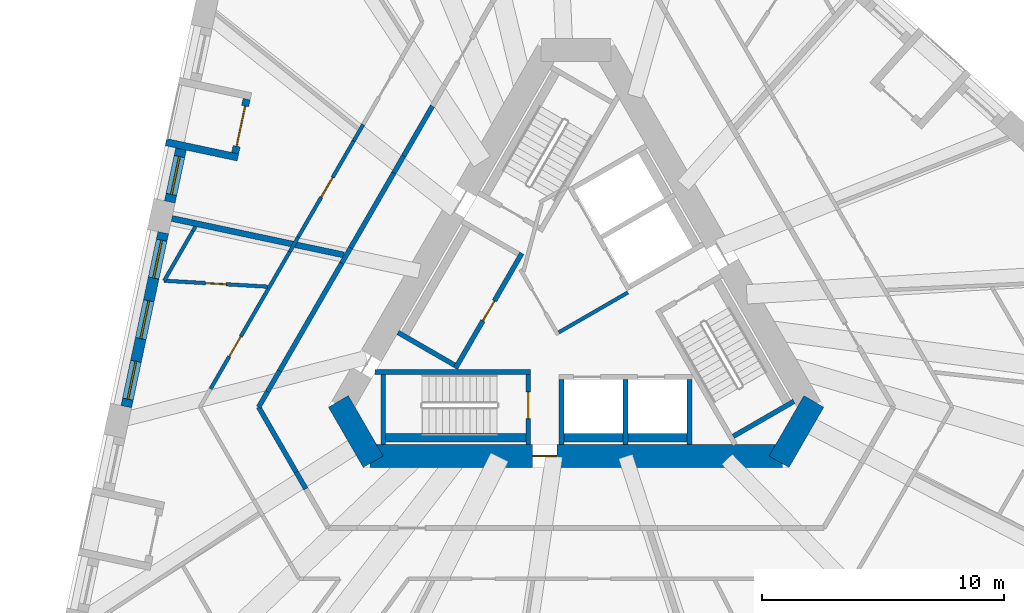
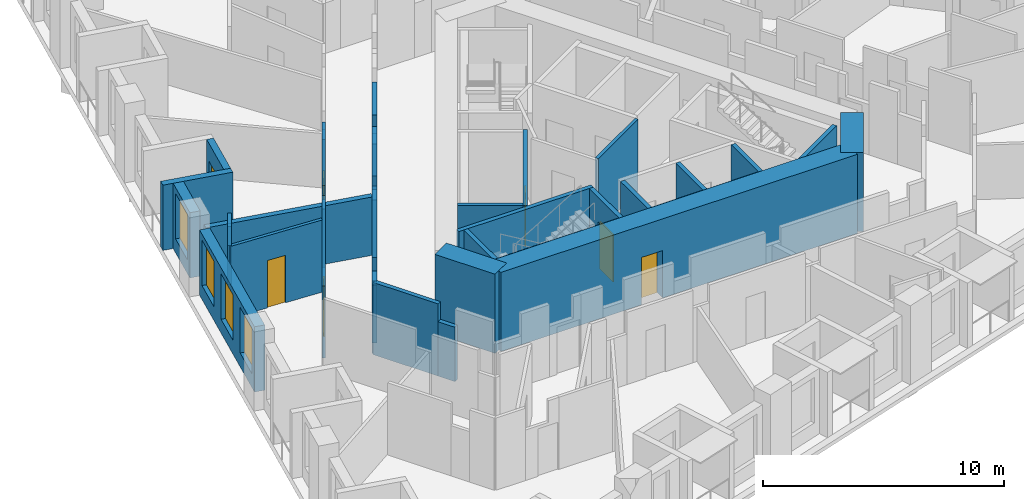
# One storey, part 4 of 12: 36 walls, 7 doors, 4 windows, 11 openings.
"""IFC4 building model written with IfcOpenShell, lengths in metres."""

import ifcopenshell
import ifcopenshell.guid

model = None  # the IFC model being written
_history = None  # IfcOwnerHistory: only IFC2X3 demands one
_inside = {}  # id of a spatial element -> (the spatial element, [elements in it])
_under = {}  # id of a project, library or spatial element -> (it, [spatial elements below it])
_declared = {}  # id of a project -> (the project, [libraries it declares])
_typed = {}  # id of a type object -> (the type object, [elements of that type])
_made_of = {}  # id of a material, layer set ... -> (it, [elements and type objects made of it])


def new_model(schema):
    """Start an empty IFC model of exactly this schema.

    Asked for "IFC4X3", IfcOpenShell would pick the latest addendum, in which some entities
    have other attributes; the version numbers below select the first issue.
    IFC2X3 requires an IfcOwnerHistory on every rooted entity: one is made here for all.
    """
    global model, _history
    if schema == "IFC4X3":
        model = ifcopenshell.file(schema_version=(4, 3, 0, 0))
    else:
        model = ifcopenshell.file(schema=schema)
    _inside.clear()
    _under.clear()
    _declared.clear()
    _typed.clear()
    _made_of.clear()
    _history = None
    if model.schema == "IFC2X3":
        org = make("IfcOrganization", Name="unknown")
        user = make(
            "IfcPersonAndOrganization",
            ThePerson=make("IfcPerson", FamilyName="unknown"),
            TheOrganization=org,
        )
        app = make(
            "IfcApplication",
            ApplicationDeveloper=org,
            Version="unknown",
            ApplicationFullName="unknown",
            ApplicationIdentifier="unknown",
        )
        _history = make(
            "IfcOwnerHistory",
            OwningUser=user,
            OwningApplication=app,
            ChangeAction="ADDED",
            CreationDate=0,
        )
    return model


def make(cls, **values):
    """One entity of the class cls with the attributes given. An attribute that is None is left unset."""
    return model.create_entity(
        cls, **{name: value for name, value in values.items() if value is not None}
    )


def rooted(cls, **values):
    """An entity with a GlobalId (a new one), such as an element, a storey or a relation."""
    return make(cls, GlobalId=ifcopenshell.guid.new(), OwnerHistory=_history, **values)


def si_unit(unit_type, name, prefix=None):
    """IfcSIUnit, for example si_unit("LENGTHUNIT", "METRE", prefix="MILLI")."""
    return make("IfcSIUnit", UnitType=unit_type, Prefix=prefix, Name=name)


def assignment(units):
    """IfcUnitAssignment: the units of a project."""
    return None if units is None else make("IfcUnitAssignment", Units=units)


def point(xyz):
    """IfcCartesianPoint."""
    return None if xyz is None else make("IfcCartesianPoint", Coordinates=xyz)


def direction(xyz):
    """IfcDirection."""
    return None if xyz is None else make("IfcDirection", DirectionRatios=xyz)


def frame(location, z_axis=None, x_axis=None):
    """IfcAxis2Placement3D, a coordinate frame: its origin and axes. An axis left out is left unset."""
    return make(
        "IfcAxis2Placement3D",
        Location=point(location),
        Axis=direction(z_axis),
        RefDirection=direction(x_axis),
    )


def frame_2d(location, x_axis=None):
    """IfcAxis2Placement2D, a coordinate frame in the plane: its origin and x axis."""
    return make(
        "IfcAxis2Placement2D", Location=point(location), RefDirection=direction(x_axis)
    )


def origin():
    """The frame at (0, 0, 0) with its axes left unset."""
    return frame((0.0, 0.0, 0.0))


def place(relative_to, where):
    """IfcLocalPlacement: puts the frame where relative to a parent placement (None: the world)."""
    return make(
        "IfcLocalPlacement", PlacementRelTo=relative_to, RelativePlacement=where
    )


def context(
    kind, dimensions, precision=None, world=None, true_north=None, identifier=None
):
    """IfcGeometricRepresentationContext, for example the 3D "Model" context."""
    return make(
        "IfcGeometricRepresentationContext",
        ContextIdentifier=identifier,
        ContextType=kind,
        CoordinateSpaceDimension=dimensions,
        Precision=precision,
        WorldCoordinateSystem=world,
        TrueNorth=true_north,
    )


def subcontext(parent, identifier, kind, view, scale=None):
    """IfcGeometricRepresentationSubContext, for example "Body" below "Model"."""
    return make(
        "IfcGeometricRepresentationSubContext",
        ContextIdentifier=identifier,
        ContextType=kind,
        ParentContext=parent,
        TargetScale=scale,
        TargetView=view,
    )


def project(units=None, contexts=None):
    """IfcProject with its units and contexts."""
    return rooted(
        "IfcProject",
        Name="project",
        RepresentationContexts=contexts,
        UnitsInContext=assignment(units),
    )


def spatial(cls, under=None, at=None, **own):
    """A site, building, storey or space (cls), placed at a placement, below another one or the project."""
    s = rooted(cls, ObjectPlacement=at, **own)
    if under is not None:
        _under.setdefault(under.id(), (under, []))[1].append(s)
    return s


def profile(cls, at=None, kind="AREA", **sizes):
    """A parametric profile (cls). Its sizes go by their IFC names, for example OverallWidth=200.0."""
    return make(cls, ProfileType=kind, Position=at, **sizes)


def rectangle(**sizes):
    """IfcRectangleProfileDef."""
    return profile("IfcRectangleProfileDef", **sizes)


def extrude(swept, where, along, depth):
    """IfcExtrudedAreaSolid: the profile swept, set in the frame where, extruded along a direction by depth."""
    return make(
        "IfcExtrudedAreaSolid",
        SweptArea=swept,
        Position=where,
        ExtrudedDirection=direction(along),
        Depth=depth,
    )


def shape(context_of_items, identifier, shape_type, items):
    """IfcShapeRepresentation: the items that make up one representation, for example the "Body"."""
    return make(
        "IfcShapeRepresentation",
        ContextOfItems=context_of_items,
        RepresentationIdentifier=identifier,
        RepresentationType=shape_type,
        Items=items,
    )


def material(Name=None, Category=None):
    """IfcMaterial."""
    return make("IfcMaterial", Name=Name, Category=Category)


def layer(
    of_material, thickness, ventilated=None, Name=None, Category=None, Priority=None
):
    """IfcMaterialLayer: one layer of a wall or slab, of a material (None: an air gap)."""
    return make(
        "IfcMaterialLayer",
        Material=of_material,
        LayerThickness=thickness,
        IsVentilated=ventilated,
        Name=Name,
        Category=Category,
        Priority=Priority,
    )


def layer_set(layers, Name=None):
    """IfcMaterialLayerSet."""
    return make("IfcMaterialLayerSet", MaterialLayers=layers, LayerSetName=Name)


def made_of(thing, what):
    """Note that an element or type object is made of a material, layer set ...; save() writes the relation."""
    if what is not None:
        _made_of.setdefault(what.id(), (what, []))[1].append(thing)
    return thing


def type_object(cls, material=None, **own):
    """A type object (cls), such as IfcWallType, which elements share."""
    return made_of(rooted(cls, **own), material)


def element(
    cls,
    number,
    at=None,
    inside=None,
    cuts=None,
    type_object=None,
    material=None,
    context=None,
    identifier="Body",
    shape_type=None,
    held_by="IfcProductDefinitionShape",
    body=None,
    shapes=None,
    **own,
):
    """One element of the class cls, such as IfcWall. Its Tag is "e" and its number.

    at: its placement. inside: the storey or other place that contains it. cuts: it is an
    opening in that element (IfcRelVoidsElement). A single representation is given by context,
    identifier, shape_type and body (its items); several are given by shapes. held_by: the class
    of the entity that holds the representations. save() writes the other relations.
    """
    e = rooted(cls, Tag="e%d" % number, ObjectPlacement=at, **own)
    if body is not None:
        shapes = [shape(context, identifier, shape_type, body)]
    if shapes is not None:
        e.Representation = make(held_by, Representations=shapes)
    if inside is not None:
        _inside.setdefault(inside.id(), (inside, []))[1].append(e)
    if cuts is not None:
        rooted(
            "IfcRelVoidsElement", RelatingBuildingElement=cuts, RelatedOpeningElement=e
        )
    if type_object is not None:
        _typed.setdefault(type_object.id(), (type_object, []))[1].append(e)
    return made_of(e, material)


def fill(opening, filler):
    """IfcRelFillsElement: the door or window that sits in an opening."""
    return rooted(
        "IfcRelFillsElement",
        RelatingOpeningElement=opening,
        RelatedBuildingElement=filler,
    )


def aggregate(whole, parts):
    """IfcRelAggregates: a whole, such as a stair, and the parts it consists of."""
    return rooted("IfcRelAggregates", RelatingObject=whole, RelatedObjects=parts)


def save(model, path):
    """Write the relations noted so far, then the file.

    IfcRelAggregates (storeys below a building ...), IfcRelContainedInSpatialStructure (elements
    in a storey), IfcRelDefinesByType, IfcRelAssociatesMaterial and IfcRelDeclares: one each for
    every whole, place, type object, material and project.
    """
    for whole, parts in _under.values():
        aggregate(whole, parts)
    for where, things in _inside.values():
        rooted(
            "IfcRelContainedInSpatialStructure",
            RelatedElements=things,
            RelatingStructure=where,
        )
    for kind, things in _typed.values():
        rooted("IfcRelDefinesByType", RelatedObjects=things, RelatingType=kind)
    for what, things in _made_of.values():
        rooted("IfcRelAssociatesMaterial", RelatedObjects=things, RelatingMaterial=what)
    for by, libraries in _declared.values():
        rooted("IfcRelDeclares", RelatingContext=by, RelatedDefinitions=libraries)
    model.write(path)


model = new_model("IFC4")

# Units and contexts
model_context = context("Model", 3, precision=1e-05, world=origin(), true_north=direction((0.0, 1.0)))
body_context = subcontext(model_context, "Body", "Model", "MODEL_VIEW")
ifc_project = project(units=[si_unit("LENGTHUNIT", "METRE"), si_unit("AREAUNIT", "SQUARE_METRE"), si_unit("VOLUMEUNIT", "CUBIC_METRE"), si_unit("PLANEANGLEUNIT", "RADIAN"), si_unit("MASSUNIT", "GRAM", prefix="KILO")], contexts=[model_context])

# Site, building, storey
site_placement = place(None, origin())
site = spatial("IfcSite", under=ifc_project, at=site_placement, CompositionType="ELEMENT")
building_placement = place(site_placement, origin())
building = spatial("IfcBuilding", under=site, at=building_placement, Name="Tramontana Tower", CompositionType="ELEMENT")
storey_placement = place(building_placement, frame((0.0, 0.0, 92.39990234375)))
storey = spatial("IfcBuildingStorey", under=building, at=storey_placement, Name="L20", CompositionType="ELEMENT", Elevation=92.39990234375)

# Wall
ifc_material_1 = material(Name="Concrete 70 MPa", Category="concrete")
ifc_layer_1 = layer(ifc_material_1, 0.949951171875)
ifc_layer_set_1 = layer_set([ifc_layer_1], Name="Core wall 950 70 MPa")
wall_type_1 = type_object("IfcWallType", Name="Core wall 950 70 MPa", PredefinedType="SHEAR", material=ifc_layer_set_1)
wall_1_placement = place(storey_placement, frame((-9.836669921875, -4.012451171875, 0.0), z_axis=(0.0, 0.0, 1.0), x_axis=(0.499995765644, -0.866027848477, 0.0)))
element("IfcWall", 1, at=wall_1_placement, inside=storey, type_object=wall_type_1, Name="Core wall C2 L20", PredefinedType="SHEAR", context=body_context, shape_type="SweptSolid", body=[
    extrude(rectangle(XDim=2.88671875, YDim=0.949951171875, at=frame_2d((1.443359375, 0.0))), origin(), (0.0, 0.0, 1.0), 4.0),
])

# Wall, opening, door
wall_2_placement = place(storey_placement, frame((-8.530517578125, -6.27490234375, 0.0), z_axis=(0.0, 0.0, 1.0), x_axis=(1.0, 0.0, 0.0)))
wall_2 = element("IfcWall", 2, at=wall_2_placement, inside=storey, type_object=wall_type_1, Name="Core wall C3 L20", PredefinedType="SHEAR", context=body_context, shape_type="SweptSolid", body=[
    extrude(rectangle(XDim=17.06103515625, YDim=0.949951171875, at=frame_2d((8.530517578125, 0.0))), origin(), (0.0, 0.0, 1.0), 4.0),
])
opening_1_placement = place(wall_2_placement, frame((6.7353515625, 0.0, 0.0)))
opening_1 = element("IfcOpeningElement", 3, at=opening_1_placement, cuts=wall_2, Name="Opening RG2", PredefinedType="OPENING", context=body_context, shape_type="SweptSolid", body=[
    extrude(rectangle(XDim=1.0, YDim=2.39990234375, at=frame_2d((0.5, 1.199951171875))), frame((0.0, 0.48486328125, 0.0), z_axis=(0.0, -1.0, 0.0), x_axis=(1.0, 0.0, 0.0)), (0.0, 0.0, 1.0), 0.969970703125),
])
ifc_material_2 = material(Name="Painted steel", Category="steel")
door_type_1 = type_object("IfcDoorType", Name="RING DOOR 1000", OperationType="SINGLE_SWING_LEFT", PredefinedType="DOOR", material=ifc_material_2)
door_1_placement = place(opening_1_placement, origin())
door_1 = element("IfcDoor", 4, at=door_1_placement, inside=storey, type_object=door_type_1, Name="Door RG2", OperationType="SINGLE_SWING_RIGHT", OverallHeight=2.39990234375, OverallWidth=1.0, PredefinedType="DOOR", context=body_context, shape_type="SweptSolid", body=[
    extrude(rectangle(XDim=1.0, YDim=2.39990234375, at=frame_2d((0.5, 1.199951171875))), frame((0.0, 0.02490234375, 0.0), z_axis=(0.0, -1.0, 0.0), x_axis=(1.0, 0.0, 0.0)), (0.0, 0.0, 1.0), 0.050048828125),
])
fill(opening_1, door_1)

# Walls
wall_3_placement = place(storey_placement, frame((8.393310546875, -6.512451171875, 0.0), z_axis=(0.0, 0.0, 1.0), x_axis=(0.499995765644, 0.866027848477, 0.0)))
element("IfcWall", 5, at=wall_3_placement, inside=storey, type_object=wall_type_1, Name="Core wall C4 L20", PredefinedType="SHEAR", context=body_context, shape_type="SweptSolid", body=[
    extrude(rectangle(XDim=2.88671875, YDim=0.949951171875, at=frame_2d((1.443359375, 0.0))), origin(), (0.0, 0.0, 1.0), 4.0),
])
ifc_material_3 = material(Name="Blockwork", Category="masonry")
ifc_layer_2 = layer(ifc_material_3, 0.199951171875)
ifc_layer_set_2 = layer_set([ifc_layer_2], Name="ENTRY WALL 200")
wall_type_2 = type_object("IfcWallType", Name="ENTRY WALL 200", PredefinedType="SOLIDWALL", material=ifc_layer_set_2)
wall_4_placement = place(storey_placement, frame((-11.181884765625, -7.63232421875, 0.0), z_axis=(0.0, 0.0, 1.0), x_axis=(-0.499942357345, 0.866058681229, 0.0)))
element("IfcWall", 6, at=wall_4_placement, inside=storey, type_object=wall_type_2, Name="Wall v20-ew3-2", PredefinedType="SOLIDWALL", context=body_context, shape_type="SweptSolid", body=[
    extrude(rectangle(XDim=0.80078125, YDim=0.199951171875, at=frame_2d((0.400390625, 0.0))), origin(), (0.0, 0.0, 1.0), 2.75),
])
wall_5_placement = place(storey_placement, frame((-11.582275390625, -6.938720703125, 0.0), z_axis=(0.0, 0.0, 1.0), x_axis=(-0.500037831766, 0.866003560503, 0.0)))
element("IfcWall", 7, at=wall_5_placement, inside=storey, type_object=wall_type_2, Name="Wall v20-ew3-3", PredefinedType="SOLIDWALL", context=body_context, shape_type="SweptSolid", body=[
    extrude(rectangle(XDim=3.104736328125, YDim=0.199951171875, at=frame_2d((1.55224609375, 0.0))), origin(), (0.0, 0.0, 1.0), 3.650146484375),
])
wall_6_placement = place(storey_placement, frame((-13.134765625, -4.25, 0.0), z_axis=(0.0, 0.0, 1.0), x_axis=(0.499987686533, 0.866032512851, 0.0)))
element("IfcWall", 8, at=wall_6_placement, inside=storey, type_object=wall_type_2, Name="Wall v20-ew4-0", PredefinedType="SOLIDWALL", context=body_context, shape_type="SweptSolid", body=[
    extrude(rectangle(XDim=0.74365234375, YDim=0.199951171875, at=frame_2d((0.371826171875, 0.0))), origin(), (0.0, 0.0, 1.0), 3.650146484375),
])
wall_7_placement = place(storey_placement, frame((-12.762939453125, -3.60595703125, 0.0), z_axis=(0.0, 0.0, 1.0), x_axis=(0.500061185694, 0.865990075325, 0.0)))
element("IfcWall", 9, at=wall_7_placement, inside=storey, type_object=wall_type_2, Name="Wall v20-ew4-1", PredefinedType="SOLIDWALL", context=body_context, shape_type="SweptSolid", body=[
    extrude(rectangle(XDim=0.9775390625, YDim=0.199951171875, at=frame_2d((0.48876953125, 0.0))), origin(), (0.0, 0.0, 1.0), 2.9501953125),
])
wall_8_placement = place(storey_placement, frame((-12.274169921875, -2.759521484375, 0.0), z_axis=(0.0, 0.0, 1.0), x_axis=(0.500001317485, 0.866024643133, 0.0)))
element("IfcWall", 10, at=wall_8_placement, inside=storey, type_object=wall_type_2, Name="Wall v20-ew4-2", PredefinedType="SOLIDWALL", context=body_context, shape_type="SweptSolid", body=[
    extrude(rectangle(XDim=5.1533203125, YDim=0.199951171875, at=frame_2d((2.57666015625, 0.0))), origin(), (0.0, 0.0, 1.0), 3.650146484375),
])
wall_9_placement = place(storey_placement, frame((-9.697509765625, 1.703369140625, 0.0), z_axis=(0.0, 0.0, 1.0), x_axis=(0.499885169746, 0.866091690913, 0.0)))
element("IfcWall", 11, at=wall_9_placement, inside=storey, type_object=wall_type_2, Name="Wall v20-ew4-3", PredefinedType="SOLIDWALL", context=body_context, shape_type="SweptSolid", body=[
    extrude(rectangle(XDim=0.736083984375, YDim=0.199951171875, at=frame_2d((0.3681640625, 0.0))), origin(), (0.0, 0.0, 1.0), 2.9501953125),
])
wall_10_placement = place(storey_placement, frame((-9.32958984375, 2.3408203125, 0.0), z_axis=(0.0, 0.0, 1.0), x_axis=(0.500029679218, 0.866008267802, 0.0)))
element("IfcWall", 12, at=wall_10_placement, inside=storey, type_object=wall_type_2, Name="Wall v20-ew4-4", PredefinedType="SOLIDWALL", context=body_context, shape_type="SweptSolid", body=[
    extrude(rectangle(XDim=3.576904296875, YDim=0.199951171875, at=frame_2d((1.78857421875, 0.0))), origin(), (0.0, 0.0, 1.0), 3.650146484375),
])
wall_11_placement = place(storey_placement, frame((-7.541015625, 5.4384765625, 0.0), z_axis=(0.0, 0.0, 1.0), x_axis=(0.499809598504, 0.866135304236, 0.0)))
element("IfcWall", 13, at=wall_11_placement, inside=storey, type_object=wall_type_2, Name="Wall v20-ew4-5", PredefinedType="SOLIDWALL", context=body_context, shape_type="SweptSolid", body=[
    extrude(rectangle(XDim=0.808349609375, YDim=0.199951171875, at=frame_2d((0.404296875, 0.0))), origin(), (0.0, 0.0, 1.0), 2.75),
])
wall_12_placement = place(storey_placement, frame((-7.136962890625, 6.138671875, 0.0), z_axis=(0.0, 0.0, 1.0), x_axis=(0.500035462246, 0.866004928679, 0.0)))
element("IfcWall", 14, at=wall_12_placement, inside=storey, type_object=wall_type_2, Name="Wall v20-ew4-6", PredefinedType="SOLIDWALL", context=body_context, shape_type="SweptSolid", body=[
    extrude(rectangle(XDim=2.385498046875, YDim=0.199951171875, at=frame_2d((1.19287109375, 0.0))), origin(), (0.0, 0.0, 1.0), 3.650146484375),
])

# Wall, opening, window
ifc_material_4 = material(Name="Precast concrete 60 MPa", Category="concrete")
ifc_layer_3 = layer(ifc_material_4, 0.449951171875)
ifc_layer_set_3 = layer_set([ifc_layer_3], Name="Precast concrete 60 MPa, 450 mm")
wall_type_3 = type_object("IfcWallType", Name="EW1 Stone-faced precast wall 450", PredefinedType="SOLIDWALL", material=ifc_layer_set_3)
wall_13_placement = place(storey_placement, frame((-16.34619140625, 6.42578125, 0.0), z_axis=(0.0, 0.0, 1.0), x_axis=(-0.207918801611, -0.978146089261, 0.0)))
wall_13 = element("IfcWall", 15, at=wall_13_placement, inside=storey, type_object=wall_type_3, Name="External wall L20 face 0 bay 3", PredefinedType="SOLIDWALL", context=body_context, shape_type="SweptSolid", body=[
    extrude(rectangle(XDim=2.23681640625, YDim=0.449951171875, at=frame_2d((1.118408203125, 0.0))), origin(), (0.0, 0.0, 1.0), 3.300048828125),
])
opening_2_placement = place(wall_13_placement, frame((0.318359375, 0.0, 0.699951171875)))
opening_2 = element("IfcOpeningElement", 16, at=opening_2_placement, cuts=wall_13, Name="Opening M1", PredefinedType="OPENING", context=body_context, shape_type="SweptSolid", body=[
    extrude(rectangle(XDim=1.60009765625, YDim=2.300048828125, at=frame_2d((0.800048828125, 1.14990234375))), frame((0.0, 0.23486328125, 0.0), z_axis=(0.0, -1.0, 0.0), x_axis=(1.0, 0.0, 0.0)), (0.0, 0.0, 1.0), 0.469970703125),
])
ifc_material_5 = material(Name="Aluminum frame, double glazing unit", Category="aluminium")
window_type = type_object("IfcWindowType", Name="M1 Window 1.6 x 2.3", PartitioningType="SINGLE_PANEL", PredefinedType="WINDOW", material=ifc_material_5)
window_1_placement = place(opening_2_placement, origin())
window_1 = element("IfcWindow", 17, at=window_1_placement, inside=storey, type_object=window_type, Name="Window M1 L20 face 0 module 9", OverallHeight=2.300048828125, OverallWidth=1.60009765625, PartitioningType="SINGLE_PANEL", PredefinedType="WINDOW", context=body_context, shape_type="SweptSolid", body=[
    extrude(rectangle(XDim=1.60009765625, YDim=2.300048828125, at=frame_2d((0.800048828125, 1.14990234375))), frame((0.0, 0.030029296875, 0.0), z_axis=(0.0, -1.0, 0.0), x_axis=(1.0, 0.0, 0.0)), (0.0, 0.0, 1.0), 0.06005859375),
])
fill(opening_2, window_1)

# Wall, openings, windows
wall_14_placement = place(storey_placement, frame((-17.08154296875, 2.96630859375, 0.0), z_axis=(0.0, 0.0, 1.0), x_axis=(-0.207909137741, -0.978148143403, 0.0)))
wall_14 = element("IfcWall", 18, at=wall_14_placement, inside=storey, type_object=wall_type_3, Name="External wall L20 face 0 bay 4", PredefinedType="SOLIDWALL", context=body_context, shape_type="SweptSolid", body=[
    extrude(rectangle(XDim=7.3603515625, YDim=0.449951171875, at=frame_2d((3.68017578125, 0.0))), origin(), (0.0, 0.0, 1.0), 3.300048828125),
])
opening_3_placement = place(wall_14_placement, frame((0.318359375, 0.0, 0.699951171875)))
opening_3 = element("IfcOpeningElement", 19, at=opening_3_placement, cuts=wall_14, Name="Opening M1", PredefinedType="OPENING", context=body_context, shape_type="SweptSolid", body=[
    extrude(rectangle(XDim=1.60009765625, YDim=2.300048828125, at=frame_2d((0.800048828125, 1.14990234375))), frame((0.0, 0.23486328125, 0.0), z_axis=(0.0, -1.0, 0.0), x_axis=(1.0, 0.0, 0.0)), (0.0, 0.0, 1.0), 0.469970703125),
])
opening_4_placement = place(wall_14_placement, frame((2.880126953125, 0.0, 0.699951171875)))
opening_4 = element("IfcOpeningElement", 20, at=opening_4_placement, cuts=wall_14, Name="Opening M1", PredefinedType="OPENING", context=body_context, shape_type="SweptSolid", body=[
    extrude(rectangle(XDim=1.60009765625, YDim=2.300048828125, at=frame_2d((0.800048828125, 1.14990234375))), frame((0.0, 0.23486328125, 0.0), z_axis=(0.0, -1.0, 0.0), x_axis=(1.0, 0.0, 0.0)), (0.0, 0.0, 1.0), 0.469970703125),
])
opening_5_placement = place(wall_14_placement, frame((5.44189453125, 0.0, 0.699951171875)))
opening_5 = element("IfcOpeningElement", 21, at=opening_5_placement, cuts=wall_14, Name="Opening M1", PredefinedType="OPENING", context=body_context, shape_type="SweptSolid", body=[
    extrude(rectangle(XDim=1.60009765625, YDim=2.300048828125, at=frame_2d((0.800048828125, 1.14990234375))), frame((0.0, 0.23486328125, 0.0), z_axis=(0.0, -1.0, 0.0), x_axis=(1.0, 0.0, 0.0)), (0.0, 0.0, 1.0), 0.469970703125),
])
window_2_placement = place(opening_3_placement, origin())
window_2 = element("IfcWindow", 22, at=window_2_placement, inside=storey, type_object=window_type, Name="Window M1 L20 face 0 module 10", OverallHeight=2.300048828125, OverallWidth=1.60009765625, PartitioningType="SINGLE_PANEL", PredefinedType="WINDOW", context=body_context, shape_type="SweptSolid", body=[
    extrude(rectangle(XDim=1.60009765625, YDim=2.300048828125, at=frame_2d((0.800048828125, 1.14990234375))), frame((0.0, 0.030029296875, 0.0), z_axis=(0.0, -1.0, 0.0), x_axis=(1.0, 0.0, 0.0)), (0.0, 0.0, 1.0), 0.06005859375),
])
fill(opening_3, window_2)
window_3_placement = place(opening_4_placement, origin())
window_3 = element("IfcWindow", 23, at=window_3_placement, inside=storey, type_object=window_type, Name="Window M1 L20 face 0 module 11", OverallHeight=2.300048828125, OverallWidth=1.60009765625, PartitioningType="SINGLE_PANEL", PredefinedType="WINDOW", context=body_context, shape_type="SweptSolid", body=[
    extrude(rectangle(XDim=1.60009765625, YDim=2.300048828125, at=frame_2d((0.800048828125, 1.14990234375))), frame((0.0, 0.030029296875, 0.0), z_axis=(0.0, -1.0, 0.0), x_axis=(1.0, 0.0, 0.0)), (0.0, 0.0, 1.0), 0.06005859375),
])
fill(opening_4, window_3)
window_4_placement = place(opening_5_placement, origin())
window_4 = element("IfcWindow", 24, at=window_4_placement, inside=storey, type_object=window_type, Name="Window M1 L20 face 0 module 12", OverallHeight=2.300048828125, OverallWidth=1.60009765625, PartitioningType="SINGLE_PANEL", PredefinedType="WINDOW", context=body_context, shape_type="SweptSolid", body=[
    extrude(rectangle(XDim=1.60009765625, YDim=2.300048828125, at=frame_2d((0.800048828125, 1.14990234375))), frame((0.0, 0.030029296875, 0.0), z_axis=(0.0, -1.0, 0.0), x_axis=(1.0, 0.0, 0.0)), (0.0, 0.0, 1.0), 0.06005859375),
])
fill(opening_5, window_4)

# Wall, opening, door
ifc_material_6 = material(Name="Precast concrete 60 MPa", Category="concrete")
ifc_layer_4 = layer(ifc_material_6, 0.300048828125)
ifc_layer_set_4 = layer_set([ifc_layer_4], Name="LW1 Stone-faced loggia wall 300")
wall_type_4 = type_object("IfcWallType", Name="LW1 Stone-faced loggia wall 300", PredefinedType="SOLIDWALL", material=ifc_layer_set_4)
wall_15_placement = place(storey_placement, frame((-13.632080078125, 8.493408203125, 0.0), z_axis=(0.0, 0.0, 1.0), x_axis=(-0.207866417042, -0.978157222877, 0.0)))
wall_15 = element("IfcWall", 25, at=wall_15_placement, inside=storey, type_object=wall_type_4, Name="Loggia wall L20 G2S0.7", PredefinedType="SOLIDWALL", context=body_context, shape_type="SweptSolid", body=[
    extrude(rectangle(XDim=2.286865234375, YDim=0.300048828125, at=frame_2d((1.1435546875, 0.0))), origin(), (0.0, 0.0, 1.0), 3.300048828125),
])
opening_6_placement = place(wall_15_placement, frame((0.29345703125, 0.0, 0.0)))
opening_6 = element("IfcOpeningElement", 26, at=opening_6_placement, cuts=wall_15, Name="Opening BD-2S0-07", PredefinedType="OPENING", context=body_context, shape_type="SweptSolid", body=[
    extrude(rectangle(XDim=1.699951171875, YDim=2.39990234375, at=frame_2d((0.85009765625, 1.199951171875))), frame((0.0, 0.159912109375, 0.0), z_axis=(0.0, -1.0, 0.0), x_axis=(1.0, 0.0, 0.0)), (0.0, 0.0, 1.0), 0.320068359375),
])
ifc_material_7 = material(Name="Aluminum frame, double glazing unit", Category="aluminium")
door_type_2 = type_object("IfcDoorType", Name="BD1 Sliding door 1.7 x 2.4", OperationType="SLIDING_TO_LEFT", PredefinedType="DOOR", material=ifc_material_7)
door_2_placement = place(opening_6_placement, origin())
door_2 = element("IfcDoor", 27, at=door_2_placement, inside=storey, type_object=door_type_2, Name="Loggia door L20 G2S0.7", OperationType="SLIDING_TO_LEFT", OverallHeight=2.39990234375, OverallWidth=1.699951171875, PredefinedType="DOOR", context=body_context, shape_type="SweptSolid", body=[
    extrude(rectangle(XDim=1.699951171875, YDim=2.39990234375, at=frame_2d((0.85009765625, 1.199951171875))), frame((0.0, 0.02490234375, 0.0), z_axis=(0.0, -1.0, 0.0), x_axis=(1.0, 0.0, 0.0)), (0.0, 0.0, 1.0), 0.050048828125),
])
fill(opening_6, door_2)

# Walls
wall_16_placement = place(storey_placement, frame((-16.975341796875, 6.712890625, 0.0), z_axis=(0.0, 0.0, 1.0), x_axis=(0.978138503145, -0.207954487003, 0.0)))
element("IfcWall", 28, at=wall_16_placement, inside=storey, type_object=wall_type_4, Name="Loggia return L20 G2S0.7b", PredefinedType="SOLIDWALL", context=body_context, shape_type="SweptSolid", body=[
    extrude(rectangle(XDim=3.050048828125, YDim=0.300048828125, at=frame_2d((1.52490234375, 0.0))), origin(), (0.0, 0.0, 1.0), 3.300048828125),
])
ifc_material_8 = material(Name="Gypsum board partition")
ifc_layer_5 = layer(ifc_material_8, 0.14990234375)
ifc_layer_set_5 = layer_set([ifc_layer_5], Name="PARTITION 150")
wall_type_5 = type_object("IfcWallType", Name="PARTITION 150", PredefinedType="PARTITIONING", material=ifc_layer_set_5)
wall_17_placement = place(storey_placement, frame((-0.716796875, -1.15869140625, 0.0), z_axis=(0.0, 0.0, 1.0), x_axis=(0.866008176907, 0.50002983664, 0.0)))
element("IfcWall", 29, at=wall_17_placement, inside=storey, type_object=wall_type_5, Name="Wall ff-end0", PredefinedType="PARTITIONING", context=body_context, shape_type="SweptSolid", body=[
    extrude(rectangle(XDim=3.300048828125, YDim=0.14990234375, at=frame_2d((1.64990234375, 0.0))), origin(), (0.0, 0.0, 1.0), 3.650146484375),
])
wall_18_placement = place(storey_placement, frame((-17.044189453125, 0.978515625, 0.0), z_axis=(0.0, 0.0, 1.0), x_axis=(0.499969694265, 0.866042900102, 0.0)))
element("IfcWall", 30, at=wall_18_placement, inside=storey, type_object=wall_type_5, Name="Wall v20-pw01-0", PredefinedType="PARTITIONING", context=body_context, shape_type="SweptSolid", body=[
    extrude(rectangle(XDim=2.364990234375, YDim=0.14990234375, at=frame_2d((1.1826171875, 0.0))), origin(), (0.0, 0.0, 1.0), 3.650146484375),
])
wall_19_placement = place(storey_placement, frame((-15.86181640625, 3.026611328125, 0.0), z_axis=(0.0, 0.0, 1.0), x_axis=(0.500605348058, 0.865675623716, 0.0)))
element("IfcWall", 31, at=wall_19_placement, inside=storey, type_object=wall_type_5, Name="Wall v20-pw01-1", PredefinedType="PARTITIONING", context=body_context, shape_type="SweptSolid", body=[
    extrude(rectangle(XDim=0.223388671875, YDim=0.14990234375, at=frame_2d((0.11181640625, 0.0))), origin(), (0.0, 0.0, 1.0), 2.9501953125),
])

# Wall, opening, door
wall_20_placement = place(storey_placement, frame((-15.125, -3.4970703125, 0.0), z_axis=(0.0, 0.0, 1.0), x_axis=(0.500008610982, 0.866020432175, 0.0)))
wall_20 = element("IfcWall", 32, at=wall_20_placement, inside=storey, type_object=wall_type_5, Name="Wall v20-pw02-1", PredefinedType="PARTITIONING", context=body_context, shape_type="SweptSolid", body=[
    extrude(rectangle(XDim=6.54833984375, YDim=0.14990234375, at=frame_2d((3.274169921875, 0.0))), origin(), (0.0, 0.0, 1.0), 3.650146484375),
])
opening_7_placement = place(wall_20_placement, frame((1.55126953125, 0.0, 0.0)))
opening_7 = element("IfcOpeningElement", 33, at=opening_7_placement, cuts=wall_20, Name="Opening B2A-11", PredefinedType="OPENING", context=body_context, shape_type="SweptSolid", body=[
    extrude(rectangle(XDim=0.949951171875, YDim=2.39990234375, at=frame_2d((0.47509765625, 1.199951171875))), frame((0.0, 0.0849609375, 0.0), z_axis=(0.0, -1.0, 0.0), x_axis=(1.0, 0.0, 0.0)), (0.0, 0.0, 1.0), 0.169921875),
])
ifc_material_9 = material(Name="Painted timber", Category="wood")
door_type_3 = type_object("IfcDoorType", Name="DOOR ROOM 950", OperationType="SINGLE_SWING_LEFT", PredefinedType="DOOR", material=ifc_material_9)
door_3_placement = place(opening_7_placement, origin())
door_3 = element("IfcDoor", 34, at=door_3_placement, inside=storey, type_object=door_type_3, Name="Door B2A-11", OperationType="SINGLE_SWING_LEFT", OverallHeight=2.39990234375, OverallWidth=0.949951171875, PredefinedType="DOOR", context=body_context, shape_type="SweptSolid", body=[
    extrude(rectangle(XDim=0.949951171875, YDim=2.39990234375, at=frame_2d((0.47509765625, 1.199951171875))), frame((0.0, 0.02490234375, 0.0), z_axis=(0.0, -1.0, 0.0), x_axis=(1.0, 0.0, 0.0)), (0.0, 0.0, 1.0), 0.050048828125),
])
fill(opening_7, door_3)

# Wall
wall_21_placement = place(storey_placement, frame((-11.850830078125, 2.173828125, 0.0), z_axis=(0.0, 0.0, 1.0), x_axis=(0.500059846627, 0.865990848561, 0.0)))
element("IfcWall", 35, at=wall_21_placement, inside=storey, type_object=wall_type_5, Name="Wall v20-pw02-2", PredefinedType="PARTITIONING", context=body_context, shape_type="SweptSolid", body=[
    extrude(rectangle(XDim=0.7099609375, YDim=0.14990234375, at=frame_2d((0.35498046875, 0.0))), origin(), (0.0, 0.0, 1.0), 2.9501953125),
])

# Wall, opening, door
wall_22_placement = place(storey_placement, frame((-11.495849609375, 2.78857421875, 0.0), z_axis=(0.0, 0.0, 1.0), x_axis=(0.499983361514, 0.866035009806, 0.0)))
wall_22 = element("IfcWall", 36, at=wall_22_placement, inside=storey, type_object=wall_type_5, Name="Wall v20-pw02-3", PredefinedType="PARTITIONING", context=body_context, shape_type="SweptSolid", body=[
    extrude(rectangle(XDim=4.590087890625, YDim=0.14990234375, at=frame_2d((2.294921875, 0.0))), origin(), (0.0, 0.0, 1.0), 3.650146484375),
])
opening_8_placement = place(wall_22_placement, frame((1.900146484375, 0.0, 0.0)))
opening_8 = element("IfcOpeningElement", 37, at=opening_8_placement, cuts=wall_22, Name="Opening B2A-06", PredefinedType="OPENING", context=body_context, shape_type="SweptSolid", body=[
    extrude(rectangle(XDim=0.949951171875, YDim=2.39990234375, at=frame_2d((0.47509765625, 1.199951171875))), frame((0.0, 0.0849609375, 0.0), z_axis=(0.0, -1.0, 0.0), x_axis=(1.0, 0.0, 0.0)), (0.0, 0.0, 1.0), 0.169921875),
])
door_4_placement = place(opening_8_placement, origin())
door_4 = element("IfcDoor", 38, at=door_4_placement, inside=storey, type_object=door_type_3, Name="Door B2A-06", OperationType="SINGLE_SWING_RIGHT", OverallHeight=2.39990234375, OverallWidth=0.949951171875, PredefinedType="DOOR", context=body_context, shape_type="SweptSolid", body=[
    extrude(rectangle(XDim=0.949951171875, YDim=2.39990234375, at=frame_2d((0.47509765625, 1.199951171875))), frame((0.0, 0.02490234375, 0.0), z_axis=(0.0, -1.0, 0.0), x_axis=(1.0, 0.0, 0.0)), (0.0, 0.0, 1.0), 0.050048828125),
])
fill(opening_8, door_4)

# Wall
wall_23_placement = place(storey_placement, frame((-9.200927734375, 6.763671875, 0.0), z_axis=(0.0, 0.0, 1.0), x_axis=(0.500028278809, 0.866009076391, 0.0)))
element("IfcWall", 39, at=wall_23_placement, inside=storey, type_object=wall_type_5, Name="Wall v20-pw02-4", PredefinedType="PARTITIONING", context=body_context, shape_type="SweptSolid", body=[
    extrude(rectangle(XDim=0.783203125, YDim=0.14990234375, at=frame_2d((0.3916015625, 0.0))), origin(), (0.0, 0.0, 1.0), 2.75),
])

# Wall, opening, door
wall_24_placement = place(storey_placement, frame((-17.044189453125, 0.978515625, 0.0), z_axis=(0.0, 0.0, 1.0), x_axis=(0.998356921025, -0.057301468054, 0.0)))
wall_24 = element("IfcWall", 40, at=wall_24_placement, inside=storey, type_object=wall_type_5, Name="Wall v20-pw04", PredefinedType="PARTITIONING", context=body_context, shape_type="SweptSolid", body=[
    extrude(rectangle(XDim=4.281982421875, YDim=0.14990234375, at=frame_2d((2.14111328125, 0.0))), origin(), (0.0, 0.0, 1.0), 3.650146484375),
])
opening_9_placement = place(wall_24_placement, frame((1.716064453125, 0.0, 0.0)))
opening_9 = element("IfcOpeningElement", 41, at=opening_9_placement, cuts=wall_24, Name="Opening B2A-14", PredefinedType="OPENING", context=body_context, shape_type="SweptSolid", body=[
    extrude(rectangle(XDim=0.85009765625, YDim=2.39990234375, at=frame_2d((0.425048828125, 1.199951171875))), frame((0.0, 0.0849609375, 0.0), z_axis=(0.0, -1.0, 0.0), x_axis=(1.0, 0.0, 0.0)), (0.0, 0.0, 1.0), 0.169921875),
])
ifc_material_10 = material(Name="Painted timber", Category="wood")
door_type_4 = type_object("IfcDoorType", Name="DOOR BATH 850", OperationType="SINGLE_SWING_LEFT", PredefinedType="DOOR", material=ifc_material_10)
door_5_placement = place(opening_9_placement, origin())
door_5 = element("IfcDoor", 42, at=door_5_placement, inside=storey, type_object=door_type_4, Name="Door B2A-14", OperationType="SINGLE_SWING_RIGHT", OverallHeight=2.39990234375, OverallWidth=0.85009765625, PredefinedType="DOOR", context=body_context, shape_type="SweptSolid", body=[
    extrude(rectangle(XDim=0.85009765625, YDim=2.39990234375, at=frame_2d((0.425048828125, 1.199951171875))), frame((0.0, 0.02490234375, 0.0), z_axis=(0.0, -1.0, 0.0), x_axis=(1.0, 0.0, 0.0)), (0.0, 0.0, 1.0), 0.050048828125),
])
fill(opening_9, door_5)

# Walls
ifc_material_11 = material(Name="Blockwork", Category="masonry")
ifc_layer_6 = layer(ifc_material_11, 0.25)
ifc_layer_set_6 = layer_set([ifc_layer_6], Name="PARTY WALL 250")
wall_type_6 = type_object("IfcWallType", Name="PARTY WALL 250", PredefinedType="SOLIDWALL", material=ifc_layer_set_6)
wall_25_placement = place(storey_placement, frame((-9.616455078125, 2.0439453125, 0.0), z_axis=(0.0, 0.0, 1.0), x_axis=(-0.978148093834, 0.207909370951, 0.0)))
element("IfcWall", 43, at=wall_25_placement, inside=storey, type_object=wall_type_6, Name="Wall v20-pw08-0", PredefinedType="SOLIDWALL", context=body_context, shape_type="SweptSolid", body=[
    extrude(rectangle(XDim=7.268798828125, YDim=0.25, at=frame_2d((3.63427734375, 0.0))), origin(), (0.0, 0.0, 1.0), 2.9501953125),
])
ifc_material_12 = material(Name="Concrete 70 MPa", Category="concrete")
ifc_layer_7 = layer(ifc_material_12, 0.35009765625)
ifc_layer_set_7 = layer_set([ifc_layer_7], Name="Concrete 70 MPa, 350 mm")
wall_type_7 = type_object("IfcWallType", Name="RC SHAFT BACK WALL 350", PredefinedType="SOLIDWALL", material=ifc_layer_set_7)
wall_26_placement = place(storey_placement, frame((-8.080078125, -5.52490234375, 0.0), z_axis=(0.0, 0.0, 1.0), x_axis=(1.0, 0.0, 0.0)))
element("IfcWall", 44, at=wall_26_placement, inside=storey, type_object=wall_type_7, Name="Wall st2-back", PredefinedType="SOLIDWALL", context=body_context, shape_type="SweptSolid", body=[
    extrude(rectangle(XDim=6.2001953125, YDim=0.35009765625, at=frame_2d((3.10009765625, 0.0))), origin(), (0.0, 0.0, 1.0), 3.650146484375),
])
wall_27_placement = place(storey_placement, frame((-0.7099609375, -5.52490234375, 0.0), z_axis=(0.0, 0.0, 1.0), x_axis=(1.0, 0.0, 0.0)))
element("IfcWall", 45, at=wall_27_placement, inside=storey, type_object=wall_type_7, Name="Wall row1-back", PredefinedType="SOLIDWALL", context=body_context, shape_type="SweptSolid", body=[
    extrude(rectangle(XDim=5.5, YDim=0.35009765625, at=frame_2d((2.75, 0.0))), origin(), (0.0, 0.0, 1.0), 3.650146484375),
])
ifc_material_13 = material(Name="Concrete 70 MPa", Category="concrete")
ifc_layer_8 = layer(ifc_material_13, 0.199951171875)
ifc_layer_set_8 = layer_set([ifc_layer_8], Name="Concrete 70 MPa, 200 mm")
wall_type_8 = type_object("IfcWallType", Name="RC STAIR AND SHAFT WALL 200", PredefinedType="SOLIDWALL", material=ifc_layer_set_8)
wall_28_placement = place(storey_placement, frame((-8.31396484375, -2.800048828125, 0.0), z_axis=(0.0, 0.0, 1.0), x_axis=(1.0, 0.0, 0.0)))
element("IfcWall", 46, at=wall_28_placement, inside=storey, type_object=wall_type_8, Name="Wall st2-front", PredefinedType="SOLIDWALL", context=body_context, shape_type="SweptSolid", body=[
    extrude(rectangle(XDim=6.43408203125, YDim=0.199951171875, at=frame_2d((3.217041015625, 0.0))), origin(), (0.0, 0.0, 1.0), 3.650146484375),
])
wall_29_placement = place(storey_placement, frame((-7.97998046875, -2.89990234375, 0.0), z_axis=(0.0, 0.0, 1.0), x_axis=(0.0, -1.0, 0.0)))
element("IfcWall", 47, at=wall_29_placement, inside=storey, type_object=wall_type_8, Name="Wall st2-far", PredefinedType="SOLIDWALL", context=body_context, shape_type="SweptSolid", body=[
    extrude(rectangle(XDim=2.900146484375, YDim=0.199951171875, at=frame_2d((1.4501953125, 0.0))), origin(), (0.0, 0.0, 1.0), 3.650146484375),
])

# Wall, opening, door
wall_30_placement = place(storey_placement, frame((-1.97998046875, -2.89990234375, 0.0), z_axis=(0.0, 0.0, 1.0), x_axis=(0.0, -1.0, 0.0)))
wall_30 = element("IfcWall", 48, at=wall_30_placement, inside=storey, type_object=wall_type_8, Name="Wall st2-near", PredefinedType="SOLIDWALL", context=body_context, shape_type="SweptSolid", body=[
    extrude(rectangle(XDim=2.900146484375, YDim=0.199951171875, at=frame_2d((1.4501953125, 0.0))), origin(), (0.0, 0.0, 1.0), 3.650146484375),
])
opening_10_placement = place(wall_30_placement, frame((0.72509765625, 0.0, 0.0)))
opening_10 = element("IfcOpeningElement", 49, at=opening_10_placement, cuts=wall_30, Name="Opening SD2", PredefinedType="OPENING", context=body_context, shape_type="SweptSolid", body=[
    extrude(rectangle(XDim=1.10009765625, YDim=2.39990234375, at=frame_2d((0.550048828125, 1.199951171875))), frame((0.0, 0.10986328125, 0.0), z_axis=(0.0, -1.0, 0.0), x_axis=(1.0, 0.0, 0.0)), (0.0, 0.0, 1.0), 0.219970703125),
])
ifc_material_14 = material(Name="Painted steel", Category="steel")
door_type_5 = type_object("IfcDoorType", Name="STAIR DOOR 1100", OperationType="SINGLE_SWING_LEFT", PredefinedType="DOOR", material=ifc_material_14)
door_6_placement = place(opening_10_placement, origin())
door_6 = element("IfcDoor", 50, at=door_6_placement, inside=storey, type_object=door_type_5, Name="Door SD2", OperationType="SINGLE_SWING_LEFT", OverallHeight=2.39990234375, OverallWidth=1.10009765625, PredefinedType="DOOR", context=body_context, shape_type="SweptSolid", body=[
    extrude(rectangle(XDim=1.10009765625, YDim=2.39990234375, at=frame_2d((0.550048828125, 1.199951171875))), frame((0.0, 0.02490234375, 0.0), z_axis=(0.0, -1.0, 0.0), x_axis=(1.0, 0.0, 0.0)), (0.0, 0.0, 1.0), 0.050048828125),
])
fill(opening_10, door_6)

# Wall
wall_31_placement = place(storey_placement, frame((6.50146484375, -5.4609375, 0.0), z_axis=(0.0, 0.0, 1.0), x_axis=(0.866032775405, 0.499987231761, 0.0)))
element("IfcWall", 51, at=wall_31_placement, inside=storey, type_object=wall_type_8, Name="Wall st3-far", PredefinedType="SOLIDWALL", context=body_context, shape_type="SweptSolid", body=[
    extrude(rectangle(XDim=2.89990234375, YDim=0.199951171875, at=frame_2d((1.449951171875, 0.0))), origin(), (0.0, 0.0, 1.0), 3.650146484375),
])

# Wall, opening, door
wall_32_placement = place(storey_placement, frame((-4.9931640625, -2.648193359375, 0.0), z_axis=(0.0, 0.0, 1.0), x_axis=(0.499996545922, 0.866027397988, 0.0)))
wall_32 = element("IfcWall", 52, at=wall_32_placement, inside=storey, type_object=wall_type_8, Name="Wall row0-front", PredefinedType="SOLIDWALL", context=body_context, shape_type="SweptSolid", body=[
    extrude(rectangle(XDim=5.5, YDim=0.199951171875, at=frame_2d((2.75, 0.0))), origin(), (0.0, 0.0, 1.0), 3.650146484375),
])
opening_11_placement = place(wall_32_placement, frame((2.27490234375, 0.0, 0.0)))
opening_11 = element("IfcOpeningElement", 53, at=opening_11_placement, cuts=wall_32, Name="Opening RD-0", PredefinedType="OPENING", context=body_context, shape_type="SweptSolid", body=[
    extrude(rectangle(XDim=0.949951171875, YDim=2.39990234375, at=frame_2d((0.47509765625, 1.199951171875))), frame((0.0, 0.10986328125, 0.0), z_axis=(0.0, -1.0, 0.0), x_axis=(1.0, 0.0, 0.0)), (0.0, 0.0, 1.0), 0.219970703125),
])
door_7_placement = place(opening_11_placement, origin())
door_7 = element("IfcDoor", 54, at=door_7_placement, inside=storey, type_object=door_type_3, Name="Door RD-0", OperationType="SINGLE_SWING_LEFT", OverallHeight=2.39990234375, OverallWidth=0.949951171875, PredefinedType="DOOR", context=body_context, shape_type="SweptSolid", body=[
    extrude(rectangle(XDim=0.949951171875, YDim=2.39990234375, at=frame_2d((0.47509765625, 1.199951171875))), frame((0.0, 0.02490234375, 0.0), z_axis=(0.0, -1.0, 0.0), x_axis=(1.0, 0.0, 0.0)), (0.0, 0.0, 1.0), 0.050048828125),
])
fill(opening_11, door_7)

# Walls
for number, where, z_axis, x_axis, name in (
    (55, (-5.02978515625, -2.51171875, 0.0), (0.0, 0.0, 1.0), (-0.86599734893, 0.500048589285, 0.0), "Wall row0-side2"),
    (56, (-0.610107421875, -3.10009765625, 0.0), (0.0, 0.0, 1.0), (0.0, -1.0, 0.0), "Wall row1-side0"),
    (57, (2.0400390625, -3.10009765625, 0.0), (0.0, 0.0, 1.0), (0.0, -1.0, 0.0), "Wall row1-side1"),
    (58, (4.68994140625, -3.10009765625, 0.0), (0.0, 0.0, 1.0), (0.0, -1.0, 0.0), "Wall row1-side2"),
):
    element("IfcWall", number, at=place(storey_placement, frame(where, z_axis=z_axis, x_axis=x_axis)), inside=storey, type_object=wall_type_8, Name=name, PredefinedType="SOLIDWALL", context=body_context, shape_type="SweptSolid", body=[
        extrude(rectangle(XDim=2.699951171875, YDim=0.199951171875, at=frame_2d((1.35009765625, 0.0))), origin(), (0.0, 0.0, 1.0), 3.650146484375),
    ])

save(model, "model.ifc")
